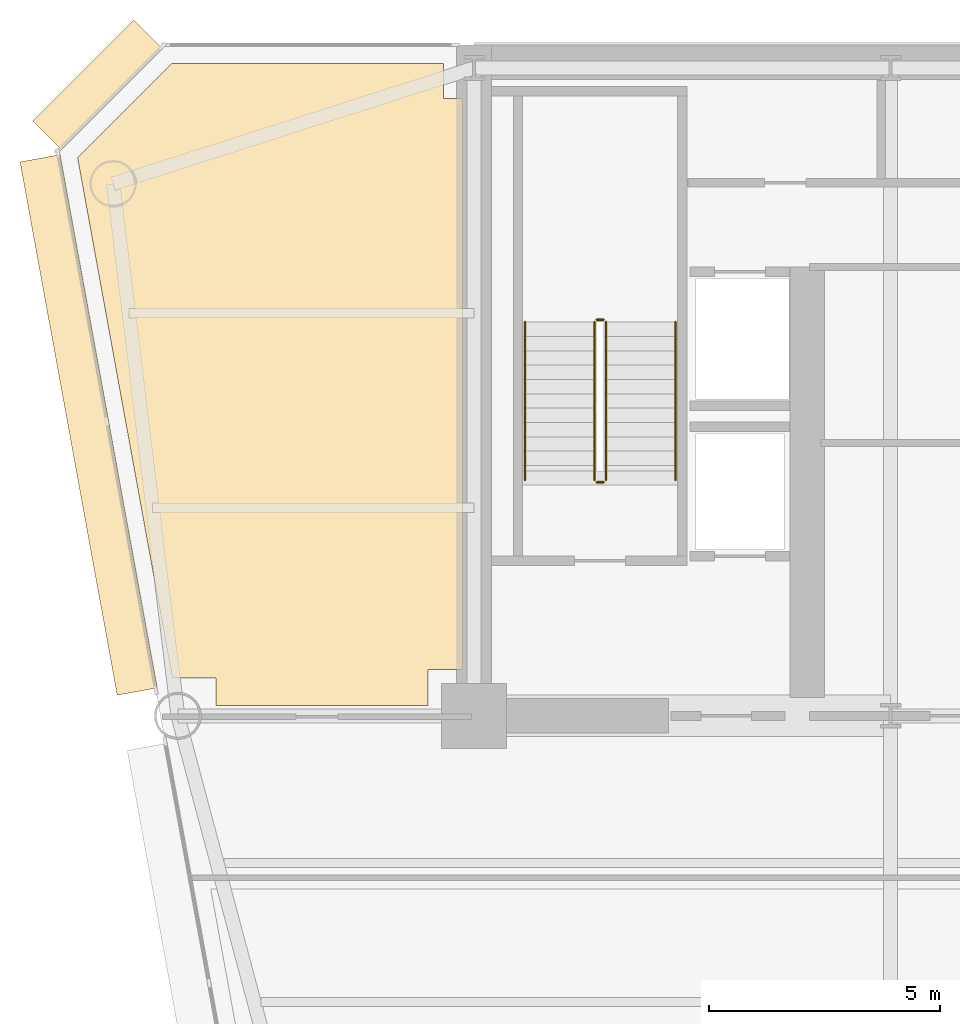
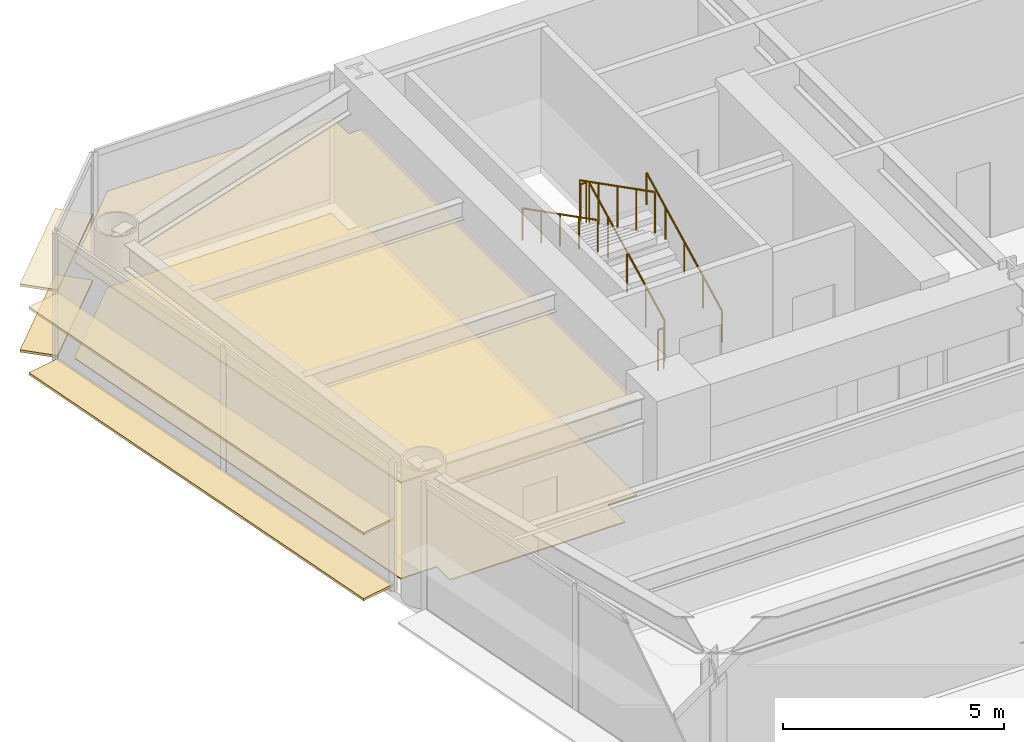
# One storey, part 12 of 14: 6 coverings, 6 railings.
"""IFC4 building model written with IfcOpenShell, lengths in metres."""

from ifc_helpers import new_model, si_unit, direction, frame, origin, origin_2d, place, context, subcontext, project, spatial, polyline, rectangle, circle, outline, extrude, source, transform, mapped, material, layer, layer_set, type_object, element, save


model = new_model("IFC4")

# Units and contexts
model_context = context("Model", 3, precision=1e-05, world=origin(), true_north=direction((0.0, 1.0)))
body_context = subcontext(model_context, "Body", "Model", "MODEL_VIEW")
ifc_project = project(units=[si_unit("LENGTHUNIT", "METRE"), si_unit("AREAUNIT", "SQUARE_METRE"), si_unit("VOLUMEUNIT", "CUBIC_METRE"), si_unit("PLANEANGLEUNIT", "RADIAN"), si_unit("MASSUNIT", "GRAM", prefix="KILO")], contexts=[model_context])

# Site, building, storey
site_placement = place(None, origin())
site = spatial("IfcSite", under=ifc_project, at=site_placement, CompositionType="ELEMENT")
building_placement = place(site_placement, origin())
building = spatial("IfcBuilding", under=site, at=building_placement, Name="Vaeldorn Concourse Tower", CompositionType="ELEMENT")
storey_placement = place(building_placement, frame((0.0, 0.0, 111.0)))
storey = spatial("IfcBuildingStorey", under=building, at=storey_placement, Name="L28", CompositionType="ELEMENT", Elevation=111.0)

# Coverings
ifc_material_1 = material(Name="Acoustic Mineral Fibre Board", Category="gypsum")
ifc_layer_1 = layer(ifc_material_1, 0.0400390625)
ifc_layer_set_1 = layer_set([ifc_layer_1], Name="Acoustic Mineral Fibre Board")
covering_type_1 = type_object("IfcCoveringType", Name="COV-CEIL-ACOUSTIC", PredefinedType="CEILING", material=ifc_layer_set_1)
covering_1_placement = place(storey_placement, frame((0.0, 0.0, 2.64990234375)))
element("IfcCovering", 1, at=covering_1_placement, inside=storey, type_object=covering_type_1, Name="Suspended Acoustic Ceiling L28-4", PredefinedType="CEILING", context=body_context, shape_type="SweptSolid", body=[
    extrude(outline(polyline([(7.4658203125, 50.60009765625), (13.340087890625, 50.60009765625), (13.340087890625, 49.840087890625), (13.760009765625, 49.840087890625), (13.760009765625, 37.5), (13.0, 37.5), (13.0, 36.719970703125), (8.419921875, 36.719970703125), (8.419921875, 37.320068359375), (7.4794921875, 37.320068359375), (5.43115234375, 48.5654296875), (7.4658203125, 50.60009765625)])), origin(), (0.0, 0.0, 1.0), 0.0400390625),
])
ifc_material_2 = material(Name="Honed Limestone Terrazzo Flooring", Category="masonry")
ifc_layer_2 = layer(ifc_material_2, 0.0400390625)
ifc_layer_set_2 = layer_set([ifc_layer_2], Name="Honed Limestone Terrazzo Flooring")
covering_type_2 = type_object("IfcCoveringType", Name="COV-FLOOR-STONE", PredefinedType="FLOORING", material=ifc_layer_set_2)
covering_2_placement = place(storey_placement, origin())
element("IfcCovering", 2, at=covering_2_placement, inside=storey, type_object=covering_type_2, Name="Floor Finish Covering L28-4", PredefinedType="FLOORING", context=body_context, shape_type="SweptSolid", body=[
    extrude(outline(polyline([(7.4658203125, 50.60009765625), (13.340087890625, 50.60009765625), (13.340087890625, 49.840087890625), (13.760009765625, 49.840087890625), (13.760009765625, 37.5), (13.0, 37.5), (13.0, 36.719970703125), (8.419921875, 36.719970703125), (8.419921875, 37.320068359375), (7.4794921875, 37.320068359375), (5.43115234375, 48.5654296875), (7.4658203125, 50.60009765625)])), origin(), (0.0, 0.0, 1.0), 0.030029296875),
])

# Railings
ifc_material_3 = material(Name="Anodised Bronze Aluminium", Category="aluminium")
railing_type_1 = type_object("IfcRailingType", Name="RL-STAIR-GUARD", PredefinedType="GUARDRAIL", material=ifc_material_3)
railing_1_placement = place(storey_placement, frame((16.85009765625, 41.60009765625, 0.158447265625)))
element("IfcRailing", 3, at=railing_1_placement, inside=storey, type_object=railing_type_1, Name="L28 ST-1 stair guard 1", PredefinedType="GUARDRAIL", context=body_context, shape_type="SweptSolid", body=[
    extrude(circle(Radius=0.02392578125, at=origin_2d()), frame((0.0, 0.0, 1.1259765625), z_axis=(0.0, 0.890581635807, 0.454823427236), x_axis=(-1.0, 0.0, 0.0)), (0.0, 0.0, 1.0), 3.828857421875),
    extrude(circle(Radius=0.02099609375, at=origin_2d()), origin(), (0.0, 0.0, 1.0), 1.101806640625),
    extrude(circle(Radius=0.02099609375, at=origin_2d()), frame((0.0, 0.8525390625, 0.435302734375)), (0.0, 0.0, 1.0), 1.101806640625),
    extrude(circle(Radius=0.02099609375, at=origin_2d()), frame((0.0, 1.705078125, 0.87060546875)), (0.0, 0.0, 1.0), 1.101806640625),
    extrude(circle(Radius=0.02099609375, at=origin_2d()), frame((0.0, 2.557373046875, 1.30615234375)), (0.0, 0.0, 1.0), 1.101806640625),
    extrude(circle(Radius=0.02099609375, at=origin_2d()), frame((0.0, 3.409912109375, 1.741455078125)), (0.0, 0.0, 1.0), 1.101806640625),
])
railing_2_placement = place(storey_placement, frame((16.800048828125, 45.06005859375, 1.89990234375)))
element("IfcRailing", 4, at=railing_2_placement, inside=storey, type_object=railing_type_1, Name="L28 ST-1 stair guard 2", PredefinedType="GUARDRAIL", context=body_context, shape_type="SweptSolid", body=[
    extrude(circle(Radius=0.02392578125, at=origin_2d()), frame((0.0, 0.0, 1.1259765625), z_axis=(-1.0, 0.0, 0.0), x_axis=(0.0, -1.0, 0.0)), (0.0, 0.0, 1.0), 0.150146484375),
    extrude(circle(Radius=0.02099609375, at=origin_2d()), origin(), (0.0, 0.0, 1.0), 1.101806640625),
    extrude(circle(Radius=0.02099609375, at=origin_2d()), frame((-0.150146484375, 0.0, 0.0)), (0.0, 0.0, 1.0), 1.101806640625),
])
railing_3_placement = place(storey_placement, frame((16.60009765625, 45.010009765625, 2.058349609375)))
element("IfcRailing", 5, at=railing_3_placement, inside=storey, type_object=railing_type_1, Name="L28 ST-1 stair guard 3", PredefinedType="GUARDRAIL", context=body_context, shape_type="SweptSolid", body=[
    extrude(circle(Radius=0.02392578125, at=origin_2d()), frame((0.0, 0.0, 1.1259765625), z_axis=(0.0, -0.890555807335, 0.454873997962), x_axis=(1.0, 0.0, 0.0)), (0.0, 0.0, 1.0), 3.828857421875),
    extrude(circle(Radius=0.02099609375, at=origin_2d()), origin(), (0.0, 0.0, 1.0), 1.101806640625),
    extrude(circle(Radius=0.02099609375, at=origin_2d()), frame((0.0, -0.8525390625, 0.435546875)), (0.0, 0.0, 1.0), 1.101806640625),
    extrude(circle(Radius=0.02099609375, at=origin_2d()), frame((0.0, -1.705078125, 0.870849609375)), (0.0, 0.0, 1.0), 1.101806640625),
    extrude(circle(Radius=0.02099609375, at=origin_2d()), frame((0.0, -2.557373046875, 1.30615234375)), (0.0, 0.0, 1.0), 1.101806640625),
    extrude(circle(Radius=0.02099609375, at=origin_2d()), frame((0.0, -3.409912109375, 1.74169921875)), (0.0, 0.0, 1.0), 1.101806640625),
])
railing_4_placement = place(storey_placement, frame((16.800048828125, 41.550048828125, 0.0)))
element("IfcRailing", 6, at=railing_4_placement, inside=storey, type_object=railing_type_1, Name="L28 ST-1 stair guard 4", PredefinedType="GUARDRAIL", context=body_context, shape_type="SweptSolid", body=[
    extrude(circle(Radius=0.02392578125, at=origin_2d()), frame((0.0, 0.0, 1.1259765625), z_axis=(-1.0, 0.0, 0.0), x_axis=(0.0, -1.0, 0.0)), (0.0, 0.0, 1.0), 0.150146484375),
    extrude(circle(Radius=0.02099609375, at=origin_2d()), origin(), (0.0, 0.0, 1.0), 1.101806640625),
    extrude(circle(Radius=0.02099609375, at=origin_2d()), frame((-0.150146484375, 0.0, 0.0)), (0.0, 0.0, 1.0), 1.101806640625),
])
railing_type_2 = type_object("IfcRailingType", Name="RL-STAIR-HANDRAIL", PredefinedType="HANDRAIL", material=ifc_material_3)
railing_5_placement = place(storey_placement, frame((18.35009765625, 41.60009765625, 0.158447265625)))
element("IfcRailing", 7, at=railing_5_placement, inside=storey, type_object=railing_type_2, Name="L28 ST-1 stair handrail 1", PredefinedType="HANDRAIL", context=body_context, shape_type="SweptSolid", body=[
    extrude(circle(Radius=0.02392578125, at=origin_2d()), frame((0.0, 0.0, 0.8759765625), z_axis=(0.0, 0.890581635807, 0.454823427236), x_axis=(-1.0, 0.0, 0.0)), (0.0, 0.0, 1.0), 3.828857421875),
    extrude(circle(Radius=0.02099609375, at=origin_2d()), origin(), (0.0, 0.0, 1.0), 0.851806640625),
    extrude(circle(Radius=0.02099609375, at=origin_2d()), frame((0.0, 0.8525390625, 0.435302734375)), (0.0, 0.0, 1.0), 0.851806640625),
    extrude(circle(Radius=0.02099609375, at=origin_2d()), frame((0.0, 1.705078125, 0.87060546875)), (0.0, 0.0, 1.0), 0.851806640625),
    extrude(circle(Radius=0.02099609375, at=origin_2d()), frame((0.0, 2.557373046875, 1.30615234375)), (0.0, 0.0, 1.0), 0.851806640625),
    extrude(circle(Radius=0.02099609375, at=origin_2d()), frame((0.0, 3.409912109375, 1.741455078125)), (0.0, 0.0, 1.0), 0.851806640625),
])
railing_6_placement = place(storey_placement, frame((15.10009765625, 45.010009765625, 2.058349609375)))
element("IfcRailing", 8, at=railing_6_placement, inside=storey, type_object=railing_type_2, Name="L28 ST-1 stair handrail 2", PredefinedType="HANDRAIL", context=body_context, shape_type="SweptSolid", body=[
    extrude(circle(Radius=0.02392578125, at=origin_2d()), frame((0.0, 0.0, 0.8759765625), z_axis=(0.0, -0.890555807335, 0.454873997962), x_axis=(1.0, 0.0, 0.0)), (0.0, 0.0, 1.0), 3.828857421875),
    extrude(circle(Radius=0.02099609375, at=origin_2d()), origin(), (0.0, 0.0, 1.0), 0.851806640625),
    extrude(circle(Radius=0.02099609375, at=origin_2d()), frame((0.0, -0.8525390625, 0.435546875)), (0.0, 0.0, 1.0), 0.851806640625),
    extrude(circle(Radius=0.02099609375, at=origin_2d()), frame((0.0, -1.705078125, 0.870849609375)), (0.0, 0.0, 1.0), 0.851806640625),
    extrude(circle(Radius=0.02099609375, at=origin_2d()), frame((0.0, -2.557373046875, 1.30615234375)), (0.0, 0.0, 1.0), 0.851806640625),
    extrude(circle(Radius=0.02099609375, at=origin_2d()), frame((0.0, -3.409912109375, 1.74169921875)), (0.0, 0.0, 1.0), 0.851806640625),
])

# Coverings
ifc_layer_3 = layer(ifc_material_3, 0.06494140625)
ifc_layer_set_3 = layer_set([ifc_layer_3], Name="Anodised Bronze Aluminium")
covering_type_3 = type_object("IfcCoveringType", Name="SD-BRONZE-SUNSHADE", PredefinedType="USERDEFINED", material=ifc_layer_set_3)
shared_shape_1 = source(origin(), body_context, "Body", "SweptSolid", [
    extrude(rectangle(XDim=3.0927734375, YDim=0.8798828125, at=origin_2d()), origin(), (0.0, 0.0, 1.0), 0.06494140625),
])
for number, where, z_axis, x_axis, name in (
    (9, (5.8671875, 50.1328125, 0.047607421875), (0.0, 0.0, 1.0), (-0.707106781187, -0.707106781187, 0.0), "Horizontal Bronze Sunshade L28-E10.1.1"),
    (10, (5.8671875, 50.1328125, 1.867431640625), (0.0, 0.0, 1.0), (-0.707106781187, -0.707106781187, 0.0), "Horizontal Bronze Sunshade L28-E10.1.2"),
):
    element("IfcCovering", number, at=place(storey_placement, frame(where, z_axis=z_axis, x_axis=x_axis)), inside=storey, type_object=covering_type_3, Name=name, ObjectType="SUNSHADE", PredefinedType="USERDEFINED", context=body_context, shape_type="MappedRepresentation", body=[
        mapped(shared_shape_1, transform((0.0, 0.0, 0.0), scale=1.0)),
    ])
shared_shape_2 = source(origin(), body_context, "Body", "SweptSolid", [
    extrude(rectangle(XDim=11.714111328125, YDim=0.8798828125, at=origin_2d()), origin(), (0.0, 0.0, 1.0), 0.06494140625),
])
for number, where, z_axis, x_axis, name in (
    (11, (5.67041015625, 42.787353515625, 0.047607421875), (0.0, 0.0, 1.0), (0.179197157467, -0.983813182853, 0.0), "Horizontal Bronze Sunshade L28-E11.1.1"),
    (12, (5.67041015625, 42.787353515625, 1.867431640625), (0.0, 0.0, 1.0), (0.179197157467, -0.983813182853, 0.0), "Horizontal Bronze Sunshade L28-E11.1.2"),
):
    element("IfcCovering", number, at=place(storey_placement, frame(where, z_axis=z_axis, x_axis=x_axis)), inside=storey, type_object=covering_type_3, Name=name, ObjectType="SUNSHADE", PredefinedType="USERDEFINED", context=body_context, shape_type="MappedRepresentation", body=[
        mapped(shared_shape_2, transform((0.0, 0.0, 0.0), scale=1.0)),
    ])

save(model, "model.ifc")
